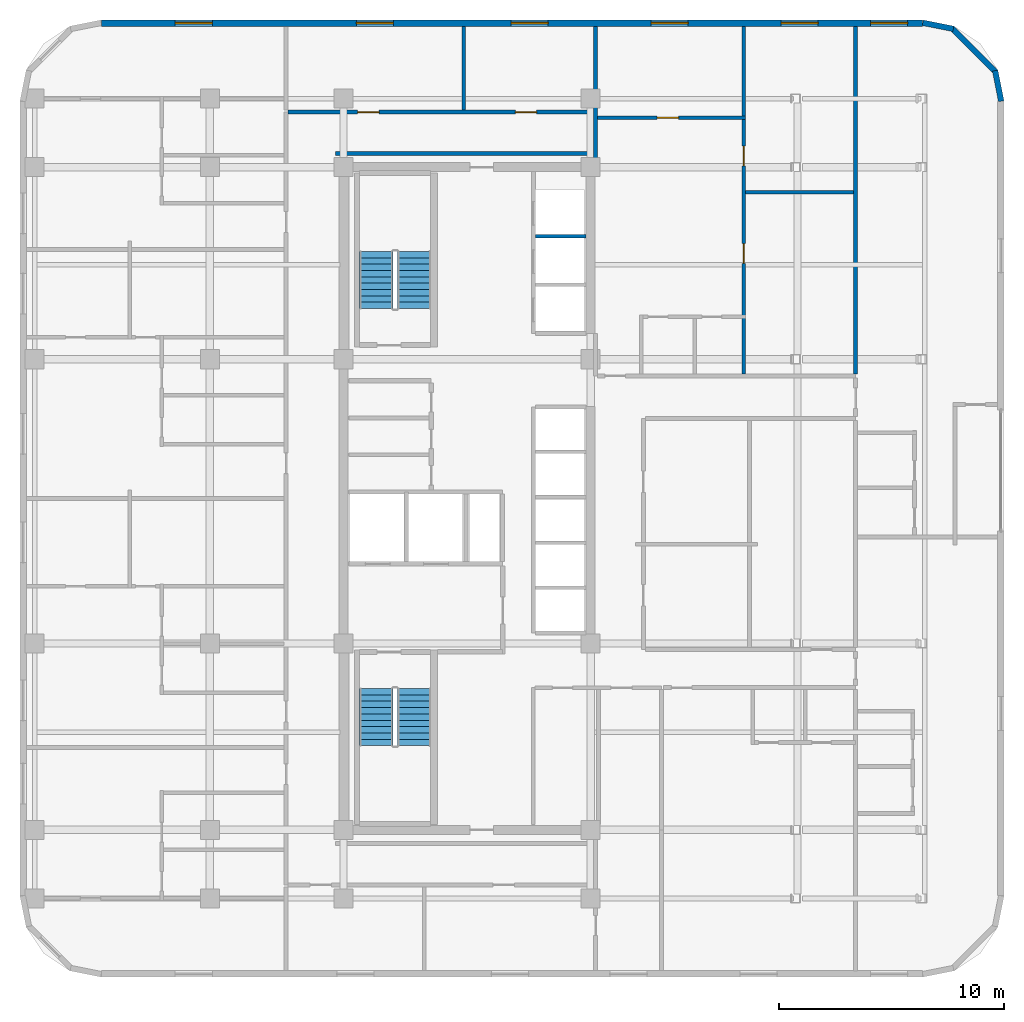
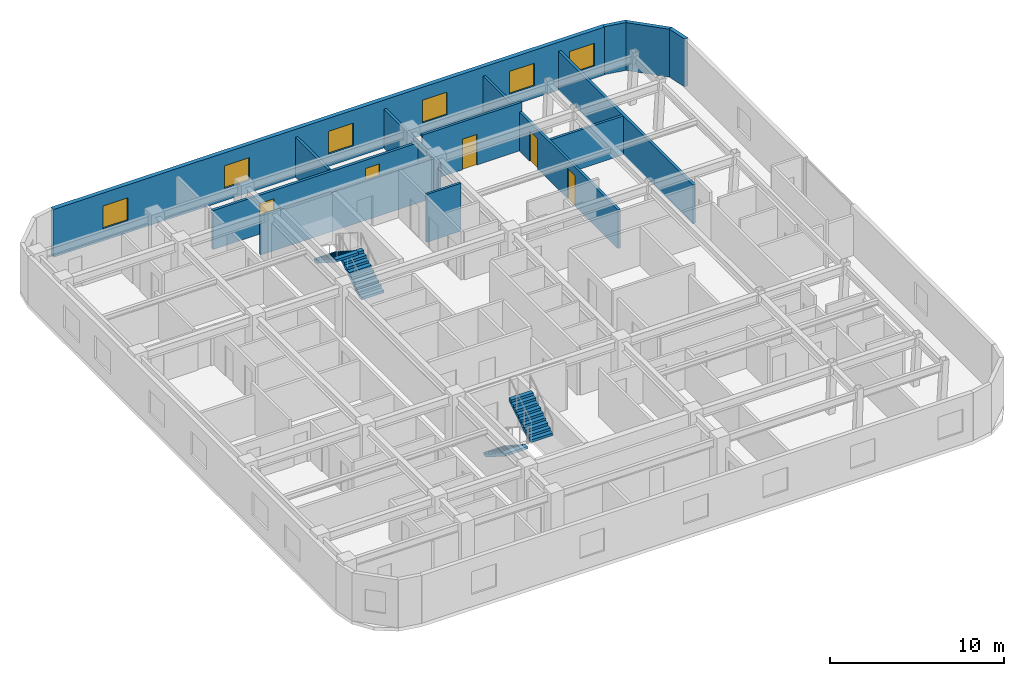
# One storey, part 8 of 9: 13 walls, 6 windows, 5 doors, 4 stair flights, 11 openings, 2 elements without a shape of their own.
"""IFC4 building model written with IfcOpenShell, lengths in metres."""

from ifc_helpers import new_model, si_unit, direction, frame, frame_2d, origin, place, context, subcontext, project, spatial, polyline, rectangle, outline, extrude, material, layer, layer_set, type_object, element, fill, aggregate, save


model = new_model("IFC4")

# Units and contexts
model_context = context("Model", 3, precision=1e-05, world=origin(), true_north=direction((0.0, 1.0)))
body_context = subcontext(model_context, "Body", "Model", "MODEL_VIEW")
ifc_project = project(units=[si_unit("LENGTHUNIT", "METRE"), si_unit("AREAUNIT", "SQUARE_METRE"), si_unit("VOLUMEUNIT", "CUBIC_METRE"), si_unit("PLANEANGLEUNIT", "RADIAN"), si_unit("MASSUNIT", "GRAM", prefix="KILO")], contexts=[model_context])

# Site, building, storey
site_placement = place(None, origin())
site = spatial("IfcSite", under=ifc_project, at=site_placement, CompositionType="ELEMENT")
building_placement = place(site_placement, origin())
building = spatial("IfcBuilding", under=site, at=building_placement, Name="Ochreholt Gables", CompositionType="ELEMENT")
storey_placement = place(building_placement, frame((0.0, 0.0, 124.800048828125)))
storey = spatial("IfcBuildingStorey", under=building, at=storey_placement, Name="L32", CompositionType="ELEMENT", Elevation=124.800048828125)

# Wall, openings, windows
ifc_material_1 = material(Name="Precast concrete 40 MPa", Category="concrete")
ifc_layer_1 = layer(ifc_material_1, 0.280029296875, Name="Precast concrete 40 MPa")
ifc_layer_set_1 = layer_set([ifc_layer_1], Name="Precast concrete 40 MPa")
wall_type_1 = type_object("IfcWallType", Name="WALL-EXT-280", PredefinedType="SOLIDWALL", material=ifc_layer_set_1)
wall_1_placement = place(storey_placement, frame((49.97998046875, 45.159912109375, 0.0), z_axis=(0.0, 0.0, 1.0), x_axis=(-1.0, 0.0, 0.0)))
wall_1 = element("IfcWall", 1, at=wall_1_placement, inside=storey, type_object=wall_type_1, Name="L32 North Exterior Wall", PredefinedType="SOLIDWALL", context=body_context, shape_type="SweptSolid", body=[
    extrude(rectangle(XDim=36.56005859375, YDim=0.280029296875, at=frame_2d((18.280029296875, 0.0))), origin(), (0.0, 0.0, 1.0), 3.35986328125),
])
opening_1_placement = place(wall_1_placement, frame((31.6201171875, 0.0, 0.85009765625)))
opening_1 = element("IfcOpeningElement", 2, at=opening_1_placement, cuts=wall_1, Name="Opening WN-7", PredefinedType="OPENING", context=body_context, shape_type="SweptSolid", body=[
    extrude(rectangle(XDim=1.64990234375, YDim=1.60009765625, at=frame_2d((0.824951171875, 0.800048828125))), frame((0.0, 0.14990234375, 0.0), z_axis=(0.0, -1.0, 0.0), x_axis=(1.0, 0.0, 0.0)), (0.0, 0.0, 1.0), 0.300048828125),
])
opening_2_placement = place(wall_1_placement, frame((23.554931640625, 0.0, 0.85009765625)))
opening_2 = element("IfcOpeningElement", 3, at=opening_2_placement, cuts=wall_1, Name="Opening WN-7", PredefinedType="OPENING", context=body_context, shape_type="SweptSolid", body=[
    extrude(rectangle(XDim=1.64990234375, YDim=1.60009765625, at=frame_2d((0.824951171875, 0.800048828125))), frame((0.0, 0.14990234375, 0.0), z_axis=(0.0, -1.0, 0.0), x_axis=(1.0, 0.0, 0.0)), (0.0, 0.0, 1.0), 0.300048828125),
])
opening_3_placement = place(wall_1_placement, frame((16.669921875, 0.0, 0.85009765625)))
opening_3 = element("IfcOpeningElement", 4, at=opening_3_placement, cuts=wall_1, Name="Opening WN-7", PredefinedType="OPENING", context=body_context, shape_type="SweptSolid", body=[
    extrude(rectangle(XDim=1.64990234375, YDim=1.60009765625, at=frame_2d((0.824951171875, 0.800048828125))), frame((0.0, 0.14990234375, 0.0), z_axis=(0.0, -1.0, 0.0), x_axis=(1.0, 0.0, 0.0)), (0.0, 0.0, 1.0), 0.300048828125),
])
opening_4_placement = place(wall_1_placement, frame((10.43994140625, 0.0, 0.85009765625)))
opening_4 = element("IfcOpeningElement", 5, at=opening_4_placement, cuts=wall_1, Name="Opening WN-7", PredefinedType="OPENING", context=body_context, shape_type="SweptSolid", body=[
    extrude(rectangle(XDim=1.64990234375, YDim=1.60009765625, at=frame_2d((0.824951171875, 0.800048828125))), frame((0.0, 0.14990234375, 0.0), z_axis=(0.0, -1.0, 0.0), x_axis=(1.0, 0.0, 0.0)), (0.0, 0.0, 1.0), 0.300048828125),
])
opening_5_placement = place(wall_1_placement, frame((4.64990234375, 0.0, 0.85009765625)))
opening_5 = element("IfcOpeningElement", 6, at=opening_5_placement, cuts=wall_1, Name="Opening WN-7", PredefinedType="OPENING", context=body_context, shape_type="SweptSolid", body=[
    extrude(rectangle(XDim=1.64990234375, YDim=1.60009765625, at=frame_2d((0.824951171875, 0.800048828125))), frame((0.0, 0.14990234375, 0.0), z_axis=(0.0, -1.0, 0.0), x_axis=(1.0, 0.0, 0.0)), (0.0, 0.0, 1.0), 0.300048828125),
])
opening_6_placement = place(wall_1_placement, frame((0.6650390625, 0.0, 0.85009765625)))
opening_6 = element("IfcOpeningElement", 7, at=opening_6_placement, cuts=wall_1, Name="Opening WN-7", PredefinedType="OPENING", context=body_context, shape_type="SweptSolid", body=[
    extrude(rectangle(XDim=1.64990234375, YDim=1.60009765625, at=frame_2d((0.824951171875, 0.800048828125))), frame((0.0, 0.14990234375, 0.0), z_axis=(0.0, -1.0, 0.0), x_axis=(1.0, 0.0, 0.0)), (0.0, 0.0, 1.0), 0.300048828125),
])
ifc_material_2 = material(Name="Triple-Glazed Thermally Broken Aluminium Window", Category="aluminium")
window_type = type_object("IfcWindowType", Name="WIN-RES-1650", PartitioningType="SINGLE_PANEL", PredefinedType="WINDOW", material=ifc_material_2)
window_1_placement = place(opening_1_placement, origin())
window_1 = element("IfcWindow", 8, at=window_1_placement, inside=storey, type_object=window_type, Name="L32 Window W-EXT-N-L32-1", OverallHeight=1.60009765625, OverallWidth=1.64990234375, PartitioningType="SINGLE_PANEL", PredefinedType="WINDOW", context=body_context, shape_type="SweptSolid", body=[
    extrude(rectangle(XDim=1.64990234375, YDim=1.60009765625, at=frame_2d((0.824951171875, 0.800048828125))), frame((0.0, 0.030029296875, 0.0), z_axis=(0.0, -1.0, 0.0), x_axis=(1.0, 0.0, 0.0)), (0.0, 0.0, 1.0), 0.06005859375),
])
fill(opening_1, window_1)
window_2_placement = place(opening_2_placement, origin())
window_2 = element("IfcWindow", 9, at=window_2_placement, inside=storey, type_object=window_type, Name="L32 Window W-EXT-N-L32-2", OverallHeight=1.60009765625, OverallWidth=1.64990234375, PartitioningType="SINGLE_PANEL", PredefinedType="WINDOW", context=body_context, shape_type="SweptSolid", body=[
    extrude(rectangle(XDim=1.64990234375, YDim=1.60009765625, at=frame_2d((0.824951171875, 0.800048828125))), frame((0.0, 0.030029296875, 0.0), z_axis=(0.0, -1.0, 0.0), x_axis=(1.0, 0.0, 0.0)), (0.0, 0.0, 1.0), 0.06005859375),
])
fill(opening_2, window_2)
window_3_placement = place(opening_3_placement, origin())
window_3 = element("IfcWindow", 10, at=window_3_placement, inside=storey, type_object=window_type, Name="L32 Window W-EXT-N-L32-3", OverallHeight=1.60009765625, OverallWidth=1.64990234375, PartitioningType="SINGLE_PANEL", PredefinedType="WINDOW", context=body_context, shape_type="SweptSolid", body=[
    extrude(rectangle(XDim=1.64990234375, YDim=1.60009765625, at=frame_2d((0.824951171875, 0.800048828125))), frame((0.0, 0.030029296875, 0.0), z_axis=(0.0, -1.0, 0.0), x_axis=(1.0, 0.0, 0.0)), (0.0, 0.0, 1.0), 0.06005859375),
])
fill(opening_3, window_3)
window_4_placement = place(opening_4_placement, origin())
window_4 = element("IfcWindow", 11, at=window_4_placement, inside=storey, type_object=window_type, Name="L32 Window W-EXT-N-L32-4", OverallHeight=1.60009765625, OverallWidth=1.64990234375, PartitioningType="SINGLE_PANEL", PredefinedType="WINDOW", context=body_context, shape_type="SweptSolid", body=[
    extrude(rectangle(XDim=1.64990234375, YDim=1.60009765625, at=frame_2d((0.824951171875, 0.800048828125))), frame((0.0, 0.030029296875, 0.0), z_axis=(0.0, -1.0, 0.0), x_axis=(1.0, 0.0, 0.0)), (0.0, 0.0, 1.0), 0.06005859375),
])
fill(opening_4, window_4)
window_5_placement = place(opening_5_placement, origin())
window_5 = element("IfcWindow", 12, at=window_5_placement, inside=storey, type_object=window_type, Name="L32 Window W-EXT-N-L32-5", OverallHeight=1.60009765625, OverallWidth=1.64990234375, PartitioningType="SINGLE_PANEL", PredefinedType="WINDOW", context=body_context, shape_type="SweptSolid", body=[
    extrude(rectangle(XDim=1.64990234375, YDim=1.60009765625, at=frame_2d((0.824951171875, 0.800048828125))), frame((0.0, 0.030029296875, 0.0), z_axis=(0.0, -1.0, 0.0), x_axis=(1.0, 0.0, 0.0)), (0.0, 0.0, 1.0), 0.06005859375),
])
fill(opening_5, window_5)
window_6_placement = place(opening_6_placement, origin())
window_6 = element("IfcWindow", 13, at=window_6_placement, inside=storey, type_object=window_type, Name="L32 Window W-EXT-N-L32-6", OverallHeight=1.60009765625, OverallWidth=1.64990234375, PartitioningType="SINGLE_PANEL", PredefinedType="WINDOW", context=body_context, shape_type="SweptSolid", body=[
    extrude(rectangle(XDim=1.64990234375, YDim=1.60009765625, at=frame_2d((0.824951171875, 0.800048828125))), frame((0.0, 0.030029296875, 0.0), z_axis=(0.0, -1.0, 0.0), x_axis=(1.0, 0.0, 0.0)), (0.0, 0.0, 1.0), 0.06005859375),
])
fill(opening_6, window_6)

# Walls
ifc_layer_2 = layer(ifc_material_1, 0.25, Name="Precast concrete 40 MPa")
ifc_layer_set_2 = layer_set([ifc_layer_2], Name="Precast concrete 40 MPa")
wall_type_2 = type_object("IfcWallType", Name="WALL-EXT-CNR", PredefinedType="SOLIDWALL", material=ifc_layer_set_2)
wall_2_placement = place(storey_placement, frame((53.475830078125, 41.68359375, 0.0), z_axis=(0.0, 0.0, 1.0), x_axis=(-0.195000137217, 0.980803214965, 0.0)))
element("IfcWall", 14, at=wall_2_placement, inside=storey, type_object=wall_type_2, Name="L32 Rounded Corner Wall NE-1", PredefinedType="SOLIDWALL", context=body_context, shape_type="SweptSolid", body=[
    extrude(rectangle(XDim=1.388427734375, YDim=0.25, at=frame_2d((0.6943359375, 0.0))), origin(), (0.0, 0.0, 1.0), 3.35986328125),
])
wall_3_placement = place(storey_placement, frame((53.23193359375, 42.9951171875, 0.0), z_axis=(0.0, 0.0, 1.0), x_axis=(-0.707151344399, 0.707062215165, 0.0)))
element("IfcWall", 15, at=wall_3_placement, inside=storey, type_object=wall_type_2, Name="L32 Rounded Corner Wall NE-2", PredefinedType="SOLIDWALL", context=body_context, shape_type="SweptSolid", body=[
    extrude(rectangle(XDim=2.7392578125, YDim=0.25, at=frame_2d((1.36962890625, 0.0))), origin(), (0.0, 0.0, 1.0), 3.35986328125),
])
wall_4_placement = place(storey_placement, frame((51.345458984375, 44.905029296875, 0.0), z_axis=(0.0, 0.0, 1.0), x_axis=(-0.980809899341, 0.19496651342, 0.0)))
element("IfcWall", 16, at=wall_4_placement, inside=storey, type_object=wall_type_2, Name="L32 Rounded Corner Wall NE-3", PredefinedType="SOLIDWALL", context=body_context, shape_type="SweptSolid", body=[
    extrude(rectangle(XDim=1.388671875, YDim=0.25, at=frame_2d((0.6943359375, 0.0))), origin(), (0.0, 0.0, 1.0), 3.35986328125),
])

# Wall, openings, doors
ifc_material_3 = material(Name="Fire-Rated Gypsum Acoustic Partition", Category="gypsum")
ifc_layer_3 = layer(ifc_material_3, 0.179931640625, Name="Fire-Rated Gypsum Acoustic Partition")
ifc_layer_set_3 = layer_set([ifc_layer_3], Name="Fire-Rated Gypsum Acoustic Partition")
wall_type_3 = type_object("IfcWallType", Name="WALL-INT-CR180", PredefinedType="STANDARD", material=ifc_layer_set_3)
wall_5_placement = place(storey_placement, frame((21.739990234375, 41.199951171875, 0.0), z_axis=(0.0, 0.0, 1.0), x_axis=(1.0, 0.0, 0.0)))
wall_5 = element("IfcWall", 17, at=wall_5_placement, inside=storey, type_object=wall_type_3, Name="L32 Interior Wall WI-C2WCN-L32", PredefinedType="STANDARD", context=body_context, shape_type="SweptSolid", body=[
    extrude(rectangle(XDim=13.679931640625, YDim=0.179931640625, at=frame_2d((6.83984375, 0.0))), origin(), (0.0, 0.0, 1.0), 2.73095703125),
])
opening_7_placement = place(wall_5_placement, frame((3.090087890625, 0.0, 0.0)))
opening_7 = element("IfcOpeningElement", 18, at=opening_7_placement, cuts=wall_5, Name="Opening D-GN1", PredefinedType="OPENING", context=body_context, shape_type="SweptSolid", body=[
    extrude(rectangle(XDim=0.949951171875, YDim=2.14990234375, at=frame_2d((0.47509765625, 1.074951171875))), frame((0.0, 0.099853515625, 0.0), z_axis=(0.0, -1.0, 0.0), x_axis=(1.0, 0.0, 0.0)), (0.0, 0.0, 1.0), 0.199951171875),
])
opening_8_placement = place(wall_5_placement, frame((10.110107421875, 0.0, 0.0)))
opening_8 = element("IfcOpeningElement", 19, at=opening_8_placement, cuts=wall_5, Name="Opening D-GN1", PredefinedType="OPENING", context=body_context, shape_type="SweptSolid", body=[
    extrude(rectangle(XDim=0.949951171875, YDim=2.14990234375, at=frame_2d((0.47509765625, 1.074951171875))), frame((0.0, 0.099853515625, 0.0), z_axis=(0.0, -1.0, 0.0), x_axis=(1.0, 0.0, 0.0)), (0.0, 0.0, 1.0), 0.199951171875),
])
ifc_material_4 = material(Name="Engineered Oak Timber", Category="wood")
door_type_1 = type_object("IfcDoorType", Name="DR-INT-GEN950", OperationType="NOTDEFINED", PredefinedType="DOOR", material=ifc_material_4)
door_1_placement = place(opening_7_placement, origin())
door_1 = element("IfcDoor", 20, at=door_1_placement, inside=storey, type_object=door_type_1, Name="L32 Door D-C2NRS1-L32", OperationType="SINGLE_SWING_RIGHT", OverallHeight=2.14990234375, OverallWidth=0.949951171875, PredefinedType="DOOR", context=body_context, shape_type="SweptSolid", body=[
    extrude(rectangle(XDim=0.949951171875, YDim=2.14990234375, at=frame_2d((0.47509765625, 1.074951171875))), frame((0.0, 0.02490234375, 0.0), z_axis=(0.0, -1.0, 0.0), x_axis=(1.0, 0.0, 0.0)), (0.0, 0.0, 1.0), 0.050048828125),
])
fill(opening_7, door_1)
door_2_placement = place(opening_8_placement, origin())
door_2 = element("IfcDoor", 21, at=door_2_placement, inside=storey, type_object=door_type_1, Name="L32 Door D-C2NRS2-L32", OperationType="SINGLE_SWING_LEFT", OverallHeight=2.14990234375, OverallWidth=0.949951171875, PredefinedType="DOOR", context=body_context, shape_type="SweptSolid", body=[
    extrude(rectangle(XDim=0.949951171875, YDim=2.14990234375, at=frame_2d((0.47509765625, 1.074951171875))), frame((0.0, 0.02490234375, 0.0), z_axis=(0.0, -1.0, 0.0), x_axis=(1.0, 0.0, 0.0)), (0.0, 0.0, 1.0), 0.050048828125),
])
fill(opening_8, door_2)

# Walls
wall_6_placement = place(storey_placement, frame((23.85009765625, 39.35009765625, 0.0), z_axis=(0.0, 0.0, 1.0), x_axis=(1.0, 0.0, 0.0)))
element("IfcWall", 22, at=wall_6_placement, inside=storey, type_object=wall_type_3, Name="L32 Interior Wall WI-C2WCN2-L32", PredefinedType="STANDARD", context=body_context, shape_type="SweptSolid", body=[
    extrude(rectangle(XDim=11.56982421875, YDim=0.179931640625, at=frame_2d((5.784912109375, 0.0))), origin(), (0.0, 0.0, 1.0), 2.73095703125),
])
ifc_material_5 = material(Name="Double-Stud Acoustic Demising Wall", Category="gypsum")
ifc_layer_4 = layer(ifc_material_5, 0.179931640625, Name="Double-Stud Acoustic Demising Wall")
ifc_layer_set_4 = layer_set([ifc_layer_4], Name="Double-Stud Acoustic Demising Wall")
wall_type_4 = type_object("IfcWallType", Name="WALL-INT-DM180", PredefinedType="PARTITIONING", material=ifc_layer_set_4)
wall_7_placement = place(storey_placement, frame((35.419921875, 38.75, 0.0), z_axis=(0.0, 0.0, 1.0), x_axis=(0.0, 1.0, 0.0)))
element("IfcWall", 23, at=wall_7_placement, inside=storey, type_object=wall_type_4, Name="L32 Interior Wall WI-C2NEN-L32", PredefinedType="PARTITIONING", context=body_context, shape_type="SweptSolid", body=[
    extrude(rectangle(XDim=6.27001953125, YDim=0.179931640625, at=frame_2d((3.135009765625, 0.0))), origin(), (0.0, 0.0, 1.0), 2.73095703125),
])
wall_8_placement = place(storey_placement, frame((47.0, 29.550048828125, 0.0), z_axis=(0.0, 0.0, 1.0), x_axis=(0.0, 1.0, 0.0)))
element("IfcWall", 24, at=wall_8_placement, inside=storey, type_object=wall_type_4, Name="L32 Interior Wall WI-C2FEW3-L32", PredefinedType="PARTITIONING", context=body_context, shape_type="SweptSolid", body=[
    extrude(rectangle(XDim=15.469970703125, YDim=0.179931640625, at=frame_2d((7.73486328125, 0.0))), origin(), (0.0, 0.0, 1.0), 2.73095703125),
])

# Wall, openings, doors
ifc_material_6 = material(Name="Gypsum Acoustic Stud Partition", Category="gypsum")
ifc_layer_5 = layer(ifc_material_6, 0.1650390625, Name="Gypsum Acoustic Stud Partition")
ifc_layer_set_5 = layer_set([ifc_layer_5], Name="Gypsum Acoustic Stud Partition")
wall_type_5 = type_object("IfcWallType", Name="WALL-INT-PT165", PredefinedType="PARTITIONING", material=ifc_layer_set_5)
wall_9_placement = place(storey_placement, frame((42.010009765625, 29.550048828125, 0.0), z_axis=(0.0, 0.0, 1.0), x_axis=(0.0, 1.0, 0.0)))
wall_9 = element("IfcWall", 25, at=wall_9_placement, inside=storey, type_object=wall_type_5, Name="L32 Interior Wall WU-L32N1-MNX", PredefinedType="PARTITIONING", context=body_context, shape_type="SweptSolid", body=[
    extrude(rectangle(XDim=15.469970703125, YDim=0.1650390625, at=frame_2d((7.73486328125, 0.0))), origin(), (0.0, 0.0, 1.0), 2.73095703125),
])
opening_9_placement = place(wall_9_placement, frame((4.91748046875, 0.0, 0.0)))
opening_9 = element("IfcOpeningElement", 26, at=opening_9_placement, cuts=wall_9, Name="Opening D-BD2", PredefinedType="OPENING", context=body_context, shape_type="SweptSolid", body=[
    extrude(rectangle(XDim=0.8798828125, YDim=2.139892578125, at=frame_2d((0.43994140625, 1.06982421875))), frame((0.0, 0.092529296875, 0.0), z_axis=(0.0, -1.0, 0.0), x_axis=(1.0, 0.0, 0.0)), (0.0, 0.0, 1.0), 0.18505859375),
])
opening_10_placement = place(wall_9_placement, frame((9.2548828125, 0.0, 0.0)))
opening_10 = element("IfcOpeningElement", 27, at=opening_10_placement, cuts=wall_9, Name="Opening D-BD2", PredefinedType="OPENING", context=body_context, shape_type="SweptSolid", body=[
    extrude(rectangle(XDim=0.8798828125, YDim=2.139892578125, at=frame_2d((0.43994140625, 1.06982421875))), frame((0.0, 0.092529296875, 0.0), z_axis=(0.0, -1.0, 0.0), x_axis=(1.0, 0.0, 0.0)), (0.0, 0.0, 1.0), 0.18505859375),
])
door_type_2 = type_object("IfcDoorType", Name="DR-INT-BED880", OperationType="NOTDEFINED", PredefinedType="DOOR", material=ifc_material_4)
door_3_placement = place(opening_9_placement, origin())
door_3 = element("IfcDoor", 28, at=door_3_placement, inside=storey, type_object=door_type_2, Name="L32 Door D-U-L32N1-BD1", OperationType="SINGLE_SWING_LEFT", OverallHeight=2.139892578125, OverallWidth=0.8798828125, PredefinedType="DOOR", context=body_context, shape_type="SweptSolid", body=[
    extrude(rectangle(XDim=0.8798828125, YDim=2.139892578125, at=frame_2d((0.43994140625, 1.06982421875))), frame((0.0, 0.02490234375, 0.0), z_axis=(0.0, -1.0, 0.0), x_axis=(1.0, 0.0, 0.0)), (0.0, 0.0, 1.0), 0.050048828125),
])
fill(opening_9, door_3)
door_4_placement = place(opening_10_placement, origin())
door_4 = element("IfcDoor", 29, at=door_4_placement, inside=storey, type_object=door_type_2, Name="L32 Door D-U-L32N1-BD2", OperationType="SINGLE_SWING_RIGHT", OverallHeight=2.139892578125, OverallWidth=0.8798828125, PredefinedType="DOOR", context=body_context, shape_type="SweptSolid", body=[
    extrude(rectangle(XDim=0.8798828125, YDim=2.139892578125, at=frame_2d((0.43994140625, 1.06982421875))), frame((0.0, 0.02490234375, 0.0), z_axis=(0.0, -1.0, 0.0), x_axis=(1.0, 0.0, 0.0)), (0.0, 0.0, 1.0), 0.050048828125),
])
fill(opening_10, door_4)

# Wall, opening, door
wall_10_placement = place(storey_placement, frame((35.510009765625, 40.949951171875, 0.0), z_axis=(0.0, 0.0, 1.0), x_axis=(1.0, 0.0, 0.0)))
wall_10 = element("IfcWall", 30, at=wall_10_placement, inside=storey, type_object=wall_type_5, Name="L32 Interior Wall WU-L32N1-DNY", PredefinedType="PARTITIONING", context=body_context, shape_type="SweptSolid", body=[
    extrude(rectangle(XDim=6.580078125, YDim=0.1650390625, at=frame_2d((3.2900390625, 0.0))), origin(), (0.0, 0.0, 1.0), 3.35986328125),
])
opening_11_placement = place(wall_10_placement, frame((2.655029296875, 0.0, 0.0)))
opening_11 = element("IfcOpeningElement", 31, at=opening_11_placement, cuts=wall_10, Name="Opening D-GN1", PredefinedType="OPENING", context=body_context, shape_type="SweptSolid", body=[
    extrude(rectangle(XDim=0.949951171875, YDim=2.14990234375, at=frame_2d((0.47509765625, 1.074951171875))), frame((0.0, 0.092529296875, 0.0), z_axis=(0.0, -1.0, 0.0), x_axis=(1.0, 0.0, 0.0)), (0.0, 0.0, 1.0), 0.18505859375),
])
door_5_placement = place(opening_11_placement, origin())
door_5 = element("IfcDoor", 32, at=door_5_placement, inside=storey, type_object=door_type_1, Name="L32 Door D-U-L32N1-DIN", OperationType="SINGLE_SWING_RIGHT", OverallHeight=2.14990234375, OverallWidth=0.949951171875, PredefinedType="DOOR", context=body_context, shape_type="SweptSolid", body=[
    extrude(rectangle(XDim=0.949951171875, YDim=2.14990234375, at=frame_2d((0.47509765625, 1.074951171875))), frame((0.0, 0.02490234375, 0.0), z_axis=(0.0, -1.0, 0.0), x_axis=(1.0, 0.0, 0.0)), (0.0, 0.0, 1.0), 0.050048828125),
])
fill(opening_11, door_5)

# Walls
wall_11_placement = place(storey_placement, frame((42.090087890625, 37.6298828125, 0.0), z_axis=(0.0, 0.0, 1.0), x_axis=(1.0, 0.0, 0.0)))
element("IfcWall", 33, at=wall_11_placement, inside=storey, type_object=wall_type_5, Name="L32 Interior Wall WU-L32N1-RDV", PredefinedType="PARTITIONING", context=body_context, shape_type="SweptSolid", body=[
    extrude(rectangle(XDim=4.81982421875, YDim=0.1650390625, at=frame_2d((2.409912109375, 0.0))), origin(), (0.0, 0.0, 1.0), 2.73095703125),
])
wall_12_placement = place(storey_placement, frame((29.550048828125, 41.2900390625, 0.0), z_axis=(0.0, 0.0, 1.0), x_axis=(0.0, 1.0, 0.0)))
element("IfcWall", 34, at=wall_12_placement, inside=storey, type_object=wall_type_5, Name="L32 Interior Wall WI-C2PKN-L32", PredefinedType="PARTITIONING", context=body_context, shape_type="SweptSolid", body=[
    extrude(rectangle(XDim=3.72998046875, YDim=0.1650390625, at=frame_2d((1.864990234375, 0.0))), origin(), (0.0, 0.0, 1.0), 2.808837890625),
])
ifc_material_7 = material(Name="Gypsum Shaftliner and Steel Stud", Category="steel")
ifc_layer_6 = layer(ifc_material_7, 0.14990234375, Name="Gypsum Shaftliner and Steel Stud")
ifc_layer_set_6 = layer_set([ifc_layer_6], Name="Gypsum Shaftliner and Steel Stud")
wall_type_6 = type_object("IfcWallType", Name="WALL-INT-SH150", PredefinedType="STANDARD", material=ifc_layer_set_6)
wall_13_placement = place(storey_placement, frame((32.739990234375, 35.669921875, 0.0), z_axis=(0.0, 0.0, 1.0), x_axis=(1.0, 0.0, 0.0)))
element("IfcWall", 35, at=wall_13_placement, inside=storey, type_object=wall_type_6, Name="L32 Interior Wall WI-LFM-D2-L32", PredefinedType="STANDARD", context=body_context, shape_type="SweptSolid", body=[
    extrude(rectangle(XDim=2.260009765625, YDim=0.14990234375, at=frame_2d((1.1298828125, 0.0))), origin(), (0.0, 0.0, 1.0), 3.35986328125),
])

# Stair, stair flights
ifc_material_8 = material(Name="Concrete 40 MPa", Category="concrete")
stair_type_1 = type_object("IfcStairType", Name="STAIR-CORE-ST-1", PredefinedType="HALF_TURN_STAIR", material=ifc_material_8)
stair_1_placement = place(storey_placement, origin())
stair_1 = element("IfcStair", 36, at=stair_1_placement, inside=storey, type_object=stair_type_1, Name="L32 Core Exit Stair 1", PredefinedType="HALF_TURN_STAIR")
stair_flight_type = type_object("IfcStairFlightType", Name="FLIGHT-ST-1480-1800", PredefinedType="STRAIGHT", material=ifc_material_8)
stair_flight_1_placement = place(storey_placement, frame((25.659912109375, 15.5400390625, 0.0), z_axis=(0.0, 0.0, 1.0), x_axis=(0.0, -1.0, 0.0)))
stair_flight_1 = element("IfcStairFlight", 37, at=stair_flight_1_placement, type_object=stair_flight_type, Name="ST-1 flight 1", NumberOfRisers=10, NumberOfTreads=9, PredefinedType="STRAIGHT", RiserHeight=0.18, TreadLength=0.282, context=body_context, shape_type="SweptSolid", body=[
    extrude(outline(polyline([(0.0, 0.0), (0.0, 0.179931640625), (0.281982421875, 0.179931640625), (0.281982421875, 0.360107421875), (0.56396484375, 0.360107421875), (0.56396484375, 0.5400390625), (0.845947265625, 0.5400390625), (0.845947265625, 0.719970703125), (1.1279296875, 0.719970703125), (1.1279296875, 0.89990234375), (1.409912109375, 0.89990234375), (1.409912109375, 1.080078125), (1.69189453125, 1.080078125), (1.69189453125, 1.260009765625), (1.97412109375, 1.260009765625), (1.97412109375, 1.43994140625), (2.256103515625, 1.43994140625), (2.256103515625, 1.6201171875), (2.5380859375, 1.6201171875), (2.5380859375, 1.800048828125), (2.5380859375, 1.442138671875), (0.278564453125, 0.0), (0.0, 0.0)])), frame((0.0, 0.739990234375, 0.0), z_axis=(0.0, -1.0, 0.0), x_axis=(1.0, 0.0, 0.0)), (0.0, 0.0, 1.0), 1.47998046875),
])
stair_flight_2_placement = place(storey_placement, frame((27.340087890625, 13.001953125, 1.800048828125), z_axis=(0.0, 0.0, 1.0), x_axis=(0.0, 1.0, 0.0)))
stair_flight_2 = element("IfcStairFlight", 38, at=stair_flight_2_placement, type_object=stair_flight_type, Name="ST-1 flight 2", NumberOfRisers=10, NumberOfTreads=9, PredefinedType="STRAIGHT", RiserHeight=0.18, TreadLength=0.282, context=body_context, shape_type="SweptSolid", body=[
    extrude(outline(polyline([(0.0, 0.0), (0.0, 0.179931640625), (0.281982421875, 0.179931640625), (0.281982421875, 0.360107421875), (0.56396484375, 0.360107421875), (0.56396484375, 0.5400390625), (0.845947265625, 0.5400390625), (0.845947265625, 0.719970703125), (1.1279296875, 0.719970703125), (1.1279296875, 0.89990234375), (1.409912109375, 0.89990234375), (1.409912109375, 1.080078125), (1.69189453125, 1.080078125), (1.69189453125, 1.260009765625), (1.97412109375, 1.260009765625), (1.97412109375, 1.43994140625), (2.256103515625, 1.43994140625), (2.256103515625, 1.6201171875), (2.5380859375, 1.6201171875), (2.5380859375, 1.800048828125), (2.5380859375, 1.442138671875), (0.278564453125, 0.0), (0.0, 0.0)])), frame((0.0, 0.739990234375, 0.0), z_axis=(0.0, -1.0, 0.0), x_axis=(1.0, 0.0, 0.0)), (0.0, 0.0, 1.0), 1.47998046875),
])
aggregate(stair_1, [stair_flight_1, stair_flight_2])

stair_type_2 = type_object("IfcStairType", Name="STAIR-CORE-ST-2", PredefinedType="HALF_TURN_STAIR", material=ifc_material_8)
stair_2_placement = place(storey_placement, origin())
stair_2 = element("IfcStair", 39, at=stair_2_placement, inside=storey, type_object=stair_type_2, Name="L32 Core Exit Stair 2", PredefinedType="HALF_TURN_STAIR")
stair_flight_3_placement = place(storey_placement, frame((27.340087890625, 32.4599609375, 0.0), z_axis=(0.0, 0.0, 1.0), x_axis=(0.0, 1.0, 0.0)))
stair_flight_3 = element("IfcStairFlight", 40, at=stair_flight_3_placement, type_object=stair_flight_type, Name="ST-2 flight 1", NumberOfRisers=10, NumberOfTreads=9, PredefinedType="STRAIGHT", RiserHeight=0.18, TreadLength=0.282, context=body_context, shape_type="SweptSolid", body=[
    extrude(outline(polyline([(0.0, 0.0), (0.0, 0.179931640625), (0.281982421875, 0.179931640625), (0.281982421875, 0.360107421875), (0.56396484375, 0.360107421875), (0.56396484375, 0.5400390625), (0.845947265625, 0.5400390625), (0.845947265625, 0.719970703125), (1.1279296875, 0.719970703125), (1.1279296875, 0.89990234375), (1.409912109375, 0.89990234375), (1.409912109375, 1.080078125), (1.69189453125, 1.080078125), (1.69189453125, 1.260009765625), (1.97412109375, 1.260009765625), (1.97412109375, 1.43994140625), (2.256103515625, 1.43994140625), (2.256103515625, 1.6201171875), (2.5380859375, 1.6201171875), (2.5380859375, 1.800048828125), (2.5380859375, 1.442138671875), (0.278564453125, 0.0), (0.0, 0.0)])), frame((0.0, 0.739990234375, 0.0), z_axis=(0.0, -1.0, 0.0), x_axis=(1.0, 0.0, 0.0)), (0.0, 0.0, 1.0), 1.47998046875),
])
stair_flight_4_placement = place(storey_placement, frame((25.659912109375, 34.998046875, 1.800048828125), z_axis=(0.0, 0.0, 1.0), x_axis=(0.0, -1.0, 0.0)))
stair_flight_4 = element("IfcStairFlight", 41, at=stair_flight_4_placement, type_object=stair_flight_type, Name="ST-2 flight 2", NumberOfRisers=10, NumberOfTreads=9, PredefinedType="STRAIGHT", RiserHeight=0.18, TreadLength=0.282, context=body_context, shape_type="SweptSolid", body=[
    extrude(outline(polyline([(0.0, 0.0), (0.0, 0.179931640625), (0.281982421875, 0.179931640625), (0.281982421875, 0.360107421875), (0.56396484375, 0.360107421875), (0.56396484375, 0.5400390625), (0.845947265625, 0.5400390625), (0.845947265625, 0.719970703125), (1.1279296875, 0.719970703125), (1.1279296875, 0.89990234375), (1.409912109375, 0.89990234375), (1.409912109375, 1.080078125), (1.69189453125, 1.080078125), (1.69189453125, 1.260009765625), (1.97412109375, 1.260009765625), (1.97412109375, 1.43994140625), (2.256103515625, 1.43994140625), (2.256103515625, 1.6201171875), (2.5380859375, 1.6201171875), (2.5380859375, 1.800048828125), (2.5380859375, 1.442138671875), (0.278564453125, 0.0), (0.0, 0.0)])), frame((0.0, 0.739990234375, 0.0), z_axis=(0.0, -1.0, 0.0), x_axis=(1.0, 0.0, 0.0)), (0.0, 0.0, 1.0), 1.47998046875),
])
aggregate(stair_2, [stair_flight_3, stair_flight_4])

save(model, "model.ifc")
